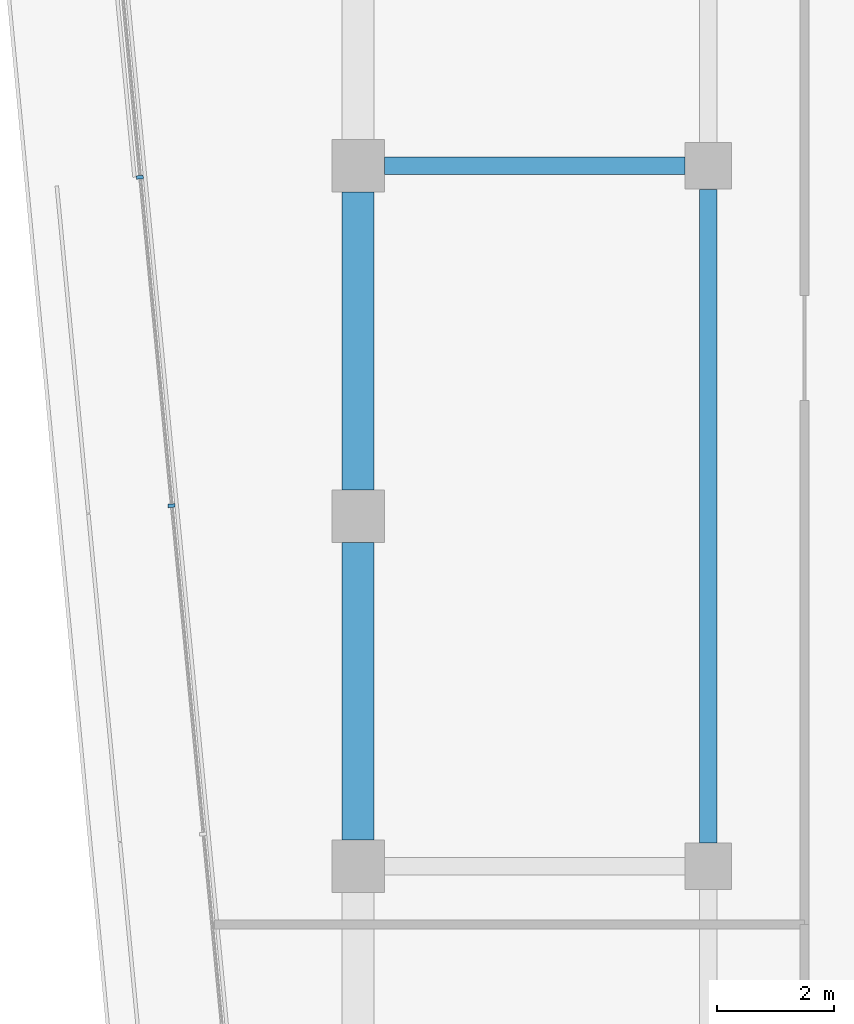
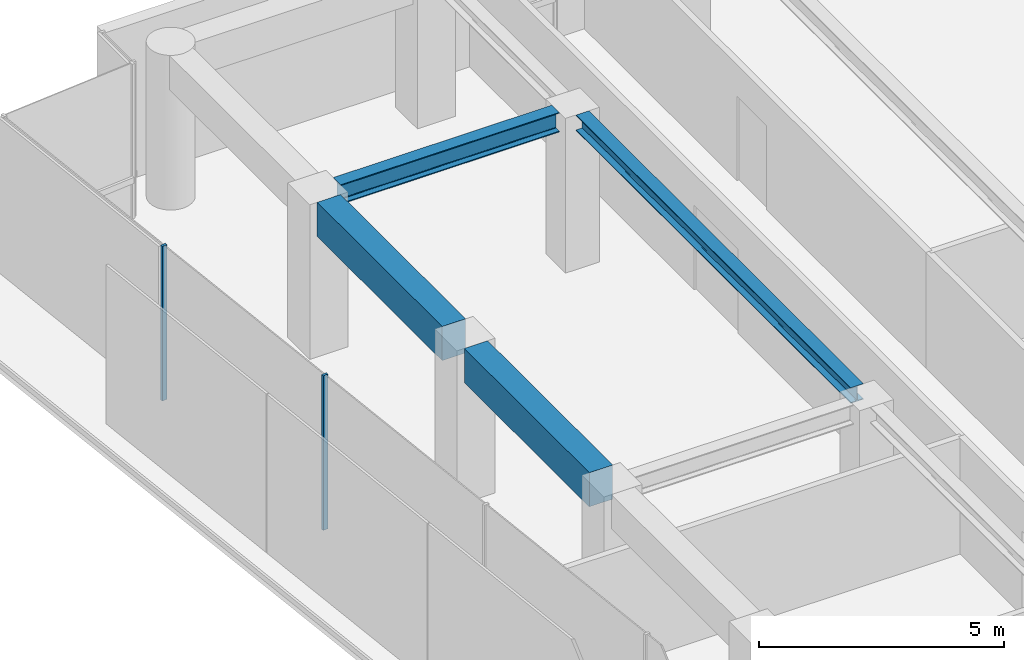
# One storey, part 11 of 23: 4 beams, 2 members, 1 element without a shape of its own.
"""IFC4 building model written with IfcOpenShell, lengths in metres."""

from ifc_helpers import new_model, si_unit, direction, frame, origin, origin_2d, place, context, subcontext, project, spatial, rectangle, i_section, extrude, material, layer, layer_set, material_profile, profile_set, type_object, element, aggregate, save


model = new_model("IFC4")

# Units and contexts
model_context = context("Model", 3, precision=1e-05, world=origin(), true_north=direction((0.0, 1.0)))
body_context = subcontext(model_context, "Body", "Model", "MODEL_VIEW")
ifc_project = project(units=[si_unit("LENGTHUNIT", "METRE"), si_unit("AREAUNIT", "SQUARE_METRE"), si_unit("VOLUMEUNIT", "CUBIC_METRE"), si_unit("PLANEANGLEUNIT", "RADIAN"), si_unit("MASSUNIT", "GRAM", prefix="KILO")], contexts=[model_context])

# Site, building, storey
site_placement = place(None, origin())
site = spatial("IfcSite", under=ifc_project, at=site_placement, CompositionType="ELEMENT")
building_placement = place(site_placement, origin())
building = spatial("IfcBuilding", under=site, at=building_placement, Name="Welwitschia Terrace Campus", CompositionType="ELEMENT")
storey_placement = place(building_placement, frame((0.0, 0.0, 205.39990234375)))
storey = spatial("IfcBuildingStorey", under=building, at=storey_placement, Name="L45", CompositionType="ELEMENT", Elevation=205.39990234375)

# Beam
ifc_material_1 = material(Name="Steel S355", Category="steel")
ifc_material_profile_1 = material_profile(ifc_material_1, i_section(OverallWidth=0.300048828125, OverallDepth=0.389892578125, WebThickness=0.010986328125, FlangeThickness=0.01904296875, FilletRadius=0.027099609375, at=origin_2d()))
ifc_profile_set_1 = profile_set([ifc_material_profile_1], Name="Steel S355")
beam_type_1 = type_object("IfcBeamType", Name="Interior girder HE 400 A", PredefinedType="BEAM", material=ifc_profile_set_1)
beam_1_placement = place(storey_placement, frame((6.0, 52.400390625, 3.655029296875), z_axis=(0.0, 1.0, 0.0), x_axis=(-1.0, 0.0, 0.0)))
element("IfcBeam", 1, at=beam_1_placement, inside=storey, type_object=beam_type_1, Name="Girder GB5", PredefinedType="BEAM", context=body_context, shape_type="SweptSolid", body=[
    extrude(i_section(OverallWidth=0.300048828125, OverallDepth=0.389892578125, WebThickness=0.010986328125, FlangeThickness=0.01904296875, FilletRadius=0.027099609375, at=origin_2d()), origin(), (0.0, 0.0, 1.0), 11.19921875),
])

# Curtain wall, members
ifc_material_2 = material(Name="Bronze anodised aluminium", Category="aluminium")
ifc_layer = layer(ifc_material_2, 0.1201171875)
ifc_layer_set = layer_set([ifc_layer], Name="Bronze anodised aluminium")
curtain_wall_type = type_object("IfcCurtainWallType", Name="Curtain wall CW2 tower 6000", PredefinedType="NOTDEFINED", material=ifc_layer_set)
curtain_wall_placement = place(storey_placement, origin())
curtain_wall = element("IfcCurtainWall", 2, at=curtain_wall_placement, inside=storey, type_object=curtain_wall_type, Name="CW L45.11.0", PredefinedType="NOTDEFINED")
ifc_material_3 = material(Name="Bronze anodised aluminium", Category="aluminium")
ifc_material_profile_2 = material_profile(ifc_material_3, rectangle(XDim=0.1201171875, YDim=0.06005859375, at=origin_2d()))
ifc_profile_set_2 = profile_set([ifc_material_profile_2], Name="Bronze anodised aluminium")
member_type = type_object("IfcMemberType", Name="Mullion 60x120", PredefinedType="MULLION", material=ifc_profile_set_2)
member_1_placement = place(storey_placement, frame((-3.7392578125, 63.804931640625, 0.0), z_axis=(0.0, 0.0, 1.0), x_axis=(0.995396198367, 0.09584575252, 0.0)))
member_1 = element("IfcMember", 3, at=member_1_placement, type_object=member_type, Name="Mullion L45.11.0.1", PredefinedType="MULLION", context=body_context, shape_type="SweptSolid", body=[
    extrude(rectangle(XDim=0.1201171875, YDim=0.06005859375, at=origin_2d()), origin(), (0.0, 0.0, 1.0), 3.85009765625),
])
member_2_placement = place(storey_placement, frame((-3.197509765625, 58.177490234375, 0.0), z_axis=(0.0, 0.0, 1.0), x_axis=(0.995396198367, 0.09584575252, 0.0)))
member_2 = element("IfcMember", 4, at=member_2_placement, type_object=member_type, Name="Mullion L45.11.0.2", PredefinedType="MULLION", context=body_context, shape_type="SweptSolid", body=[
    extrude(rectangle(XDim=0.1201171875, YDim=0.06005859375, at=origin_2d()), origin(), (0.0, 0.0, 1.0), 3.85009765625),
])
aggregate(curtain_wall, [member_1, member_2])

# Beams
ifc_material_4 = material(Name="Steel S355", Category="steel")
ifc_material_profile_3 = material_profile(ifc_material_4, i_section(OverallWidth=0.300048828125, OverallDepth=0.489990234375, WebThickness=0.011962890625, FlangeThickness=0.02294921875, FilletRadius=0.027099609375, at=origin_2d()))
ifc_profile_set_3 = profile_set([ifc_material_profile_3], Name="Steel S355")
beam_type_2 = type_object("IfcBeamType", Name="Primary beam HE 500 A", PredefinedType="BEAM", material=ifc_profile_set_3)
beam_2_placement = place(storey_placement, frame((0.450439453125, 64.0, 3.60498046875), z_axis=(1.0, 0.0, 0.0), x_axis=(0.0, 1.0, 0.0)))
element("IfcBeam", 5, at=beam_2_placement, inside=storey, type_object=beam_type_2, Name="Primary beam PB5", PredefinedType="BEAM", context=body_context, shape_type="SweptSolid", body=[
    extrude(i_section(OverallWidth=0.300048828125, OverallDepth=0.489990234375, WebThickness=0.011962890625, FlangeThickness=0.02294921875, FilletRadius=0.027099609375, at=origin_2d()), origin(), (0.0, 0.0, 1.0), 5.149169921875),
])
ifc_material_5 = material(Name="Concrete C50/60", Category="concrete")
ifc_material_profile_4 = material_profile(ifc_material_5, rectangle(XDim=0.550048828125, YDim=0.85009765625, at=origin_2d()))
ifc_profile_set_4 = profile_set([ifc_material_profile_4], Name="Concrete C50/60")
beam_type_3 = type_object("IfcBeamType", Name="Ring spandrel 550x850", PredefinedType="SPANDREL", material=ifc_profile_set_4)
for number, where, z_axis, x_axis, name in (
    (6, (0.0, 63.549560546875, 3.425048828125), (0.0, -1.0, 0.0), (1.0, 0.0, 0.0), "Spandrel SP3"),
    (7, (0.0, 57.549560546875, 3.425048828125), (0.0, -1.0, 0.0), (1.0, 0.0, 0.0), "Spandrel SP3"),
):
    element("IfcBeam", number, at=place(storey_placement, frame(where, z_axis=z_axis, x_axis=x_axis)), inside=storey, type_object=beam_type_3, Name=name, PredefinedType="SPANDREL", context=body_context, shape_type="SweptSolid", body=[
        extrude(rectangle(XDim=0.550048828125, YDim=0.85009765625, at=origin_2d()), origin(), (0.0, 0.0, 1.0), 5.09912109375),
    ])

save(model, "model.ifc")
